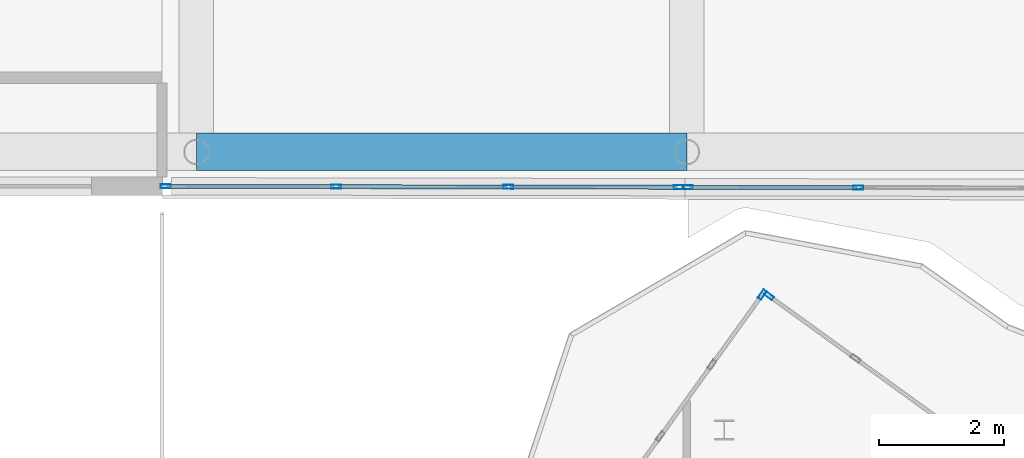
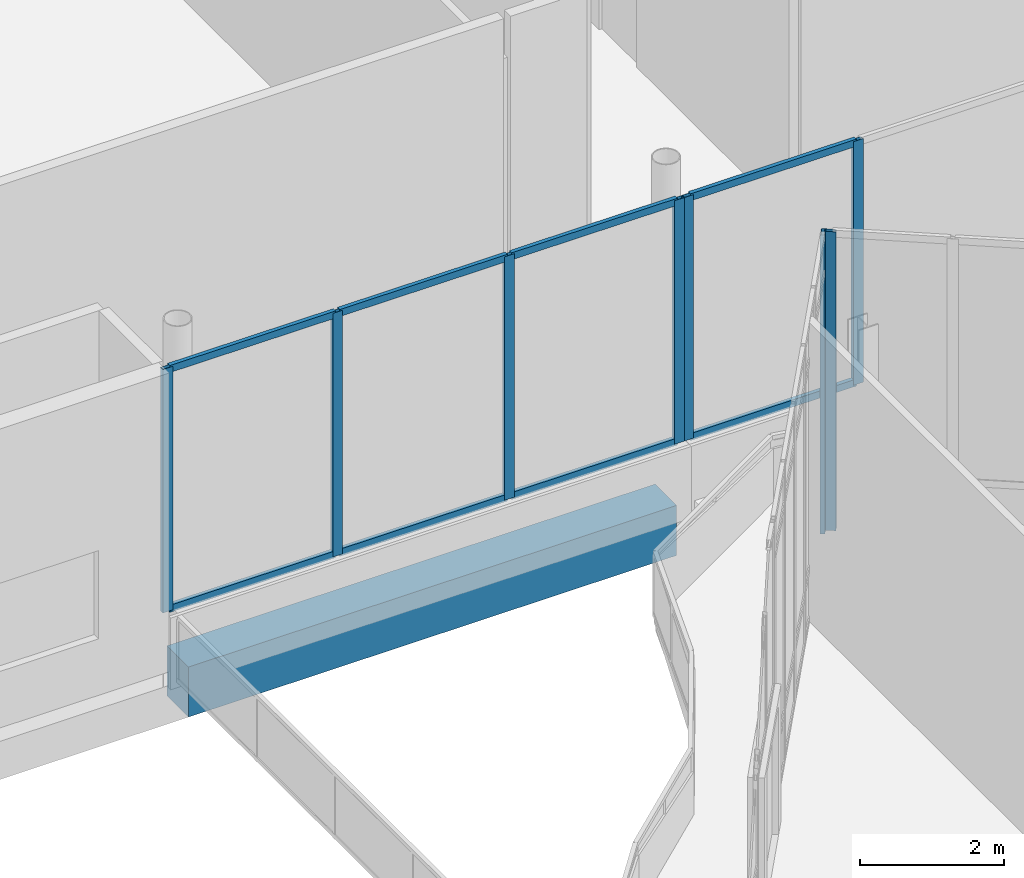
# One storey, part 31 of 158: 16 members, 1 beam, 4 elements without a shape of their own.
"""IFC4 building model written with IfcOpenShell, lengths in metres."""

from ifc_helpers import new_model, si_unit, direction, frame, origin, origin_2d, place, context, subcontext, project, spatial, rectangle, hollow_rectangle, extrude, material, material_profile, profile_set, type_object, element, aggregate, save


model = new_model("IFC4")

# Units and contexts
model_context = context("Model", 3, precision=1e-05, world=origin(), true_north=direction((0.0, 1.0)))
body_context = subcontext(model_context, "Body", "Model", "MODEL_VIEW")
ifc_project = project(units=[si_unit("LENGTHUNIT", "METRE"), si_unit("AREAUNIT", "SQUARE_METRE"), si_unit("VOLUMEUNIT", "CUBIC_METRE"), si_unit("PLANEANGLEUNIT", "RADIAN"), si_unit("MASSUNIT", "GRAM", prefix="KILO")], contexts=[model_context])

# Site, building, storey
site_placement = place(None, origin())
site = spatial("IfcSite", under=ifc_project, at=site_placement, CompositionType="ELEMENT")
building_placement = place(site_placement, origin())
building = spatial("IfcBuilding", under=site, at=building_placement, Name="Selatvlak General Hospital", CompositionType="ELEMENT")
storey_placement = place(building_placement, origin())
storey = spatial("IfcBuildingStorey", under=building, at=storey_placement, Name="L00", CompositionType="ELEMENT", Elevation=0.0)

# Beam
ifc_material_1 = material(Name="Concrete C40/50", Category="concrete")
ifc_material_profile_1 = material_profile(ifc_material_1, rectangle(XDim=0.60009765625, YDim=0.85009765625, at=origin_2d()), Name="RC-BM 600x850")
ifc_profile_set_1 = profile_set([ifc_material_profile_1], Name="Concrete C40/50")
beam_type = type_object("IfcBeamType", Name="BM-G01", PredefinedType="BEAM", material=ifc_profile_set_1)
beam_placement = place(storey_placement, frame((23.35009765625, 52.550048828125, -0.77490234375), z_axis=(1.0, 0.0, 0.0), x_axis=(0.0, 1.0, 0.0)))
element("IfcBeam", 1, at=beam_placement, inside=storey, type_object=beam_type, Name="Beam BMR-L00-0003", PredefinedType="BEAM", context=body_context, shape_type="SweptSolid", body=[
    extrude(rectangle(XDim=0.60009765625, YDim=0.85009765625, at=origin_2d()), origin(), (0.0, 0.0, 1.0), 7.849853515625),
])

# Curtain wall, member
ifc_material_2 = material(Name="Solar-control Low-E double glazing", Category="glass")
curtain_wall_type_1 = type_object("IfcCurtainWallType", Name="CW-CW-01", PredefinedType="USERDEFINED", material=ifc_material_2)
curtain_wall_1_placement = place(storey_placement, origin())
curtain_wall_1 = element("IfcCurtainWall", 2, at=curtain_wall_1_placement, inside=storey, type_object=curtain_wall_type_1, Name="Glazed facade curtain wall CW-L00-0068", ObjectType="UNITISED CURTAIN WALL", PredefinedType="USERDEFINED")
ifc_material_3 = material(Name="Dark anodised aluminium mullion", Category="aluminium")
ifc_material_profile_2 = material_profile(ifc_material_3, hollow_rectangle(XDim=0.06494140625, YDim=0.159912109375, WallThickness=0.00390625, at=origin_2d()), Name="AL-MUL 65x160x4")
ifc_profile_set_2 = profile_set([ifc_material_profile_2], Name="Dark anodised aluminium mullion")
member_type_1 = type_object("IfcMemberType", Name="CWM-01", PredefinedType="MULLION", material=ifc_profile_set_2)
member_1_placement = place(storey_placement, frame((32.407958984375, 50.2666015625, 0.0), z_axis=(0.0, 0.0, 1.0), x_axis=(-0.811837318502, 0.583883694145, 0.0)))
member_1 = element("IfcMember", 3, at=member_1_placement, type_object=member_type_1, Name="CW-01 mullion 6", PredefinedType="MULLION", context=body_context, shape_type="SweptSolid", body=[
    extrude(hollow_rectangle(XDim=0.06494140625, YDim=0.159912109375, WallThickness=0.00390625, at=origin_2d()), origin(), (0.0, 0.0, 1.0), 5.080078125),
])
aggregate(curtain_wall_1, [member_1])

curtain_wall_2_placement = place(storey_placement, origin())
curtain_wall_2 = element("IfcCurtainWall", 4, at=curtain_wall_2_placement, inside=storey, type_object=curtain_wall_type_1, Name="Glazed facade curtain wall CW-L00-0069", ObjectType="UNITISED CURTAIN WALL", PredefinedType="USERDEFINED")
member_2_placement = place(storey_placement, frame((32.514404296875, 50.248046875, 0.0), z_axis=(0.0, 0.0, 1.0), x_axis=(0.58631560804, 0.810082716622, 0.0)))
member_2 = element("IfcMember", 5, at=member_2_placement, type_object=member_type_1, Name="CW-01 mullion 1", PredefinedType="MULLION", context=body_context, shape_type="SweptSolid", body=[
    extrude(hollow_rectangle(XDim=0.06494140625, YDim=0.159912109375, WallThickness=0.00390625, at=origin_2d()), origin(), (0.0, 0.0, 1.0), 5.080078125),
])
aggregate(curtain_wall_2, [member_2])

# Curtain wall, members
curtain_wall_3_placement = place(storey_placement, origin())
curtain_wall_3 = element("IfcCurtainWall", 6, at=curtain_wall_3_placement, inside=storey, type_object=curtain_wall_type_1, Name="Glazed facade curtain wall CW-L00-0092", ObjectType="UNITISED CURTAIN WALL", PredefinedType="USERDEFINED")
member_3_placement = place(storey_placement, frame((33.94677734375, 51.97998046875, 0.93994140625), z_axis=(0.0, 0.0, 1.0), x_axis=(-0.001811153756, -0.99999835986, 0.0)))
member_3 = element("IfcMember", 7, at=member_3_placement, type_object=member_type_1, Name="CW-01 mullion 3", PredefinedType="MULLION", context=body_context, shape_type="SweptSolid", body=[
    extrude(hollow_rectangle(XDim=0.06494140625, YDim=0.159912109375, WallThickness=0.00390625, at=origin_2d()), origin(), (0.0, 0.0, 1.0), 4.14013671875),
])
member_4_placement = place(storey_placement, frame((31.218505859375, 51.98486328125, 0.93994140625), z_axis=(0.0, 0.0, 1.0), x_axis=(-0.001811153756, -0.99999835986, 0.0)))
member_4 = element("IfcMember", 8, at=member_4_placement, type_object=member_type_1, Name="CW-01 mullion 4", PredefinedType="MULLION", context=body_context, shape_type="SweptSolid", body=[
    extrude(hollow_rectangle(XDim=0.06494140625, YDim=0.159912109375, WallThickness=0.00390625, at=origin_2d()), origin(), (0.0, 0.0, 1.0), 4.14013671875),
])

curtain_wall_type_2 = type_object("IfcCurtainWallType", Name="CW-CW-02", PredefinedType="USERDEFINED", material=ifc_material_2)
curtain_wall_4_placement = place(storey_placement, origin())
curtain_wall_4 = element("IfcCurtainWall", 9, at=curtain_wall_4_placement, inside=storey, type_object=curtain_wall_type_2, Name="Glazed facade curtain wall CW-L00-0093", ObjectType="UNITISED CURTAIN WALL", PredefinedType="USERDEFINED")
member_5_placement = place(storey_placement, frame((31.073486328125, 51.985107421875, 0.93994140625), z_axis=(0.0, 0.0, 1.0), x_axis=(-0.001811153756, -0.99999835986, 0.0)))
member_5 = element("IfcMember", 10, at=member_5_placement, type_object=member_type_1, Name="CW-02 mullion 1", PredefinedType="MULLION", context=body_context, shape_type="SweptSolid", body=[
    extrude(hollow_rectangle(XDim=0.06494140625, YDim=0.159912109375, WallThickness=0.00390625, at=origin_2d()), origin(), (0.0, 0.0, 1.0), 4.14013671875),
])
member_6_placement = place(storey_placement, frame((28.34521484375, 51.989990234375, 0.93994140625), z_axis=(0.0, 0.0, 1.0), x_axis=(-0.001811153756, -0.99999835986, 0.0)))
member_6 = element("IfcMember", 11, at=member_6_placement, type_object=member_type_1, Name="CW-02 mullion 2", PredefinedType="MULLION", context=body_context, shape_type="SweptSolid", body=[
    extrude(hollow_rectangle(XDim=0.06494140625, YDim=0.159912109375, WallThickness=0.00390625, at=origin_2d()), origin(), (0.0, 0.0, 1.0), 4.14013671875),
])
member_7_placement = place(storey_placement, frame((25.584716796875, 51.9951171875, 0.93994140625), z_axis=(0.0, 0.0, 1.0), x_axis=(-0.001811153756, -0.99999835986, 0.0)))
member_7 = element("IfcMember", 12, at=member_7_placement, type_object=member_type_1, Name="CW-02 mullion 3", PredefinedType="MULLION", context=body_context, shape_type="SweptSolid", body=[
    extrude(hollow_rectangle(XDim=0.06494140625, YDim=0.159912109375, WallThickness=0.00390625, at=origin_2d()), origin(), (0.0, 0.0, 1.0), 4.14013671875),
])
member_8_placement = place(storey_placement, frame((22.8564453125, 52.0, 0.93994140625), z_axis=(0.0, 0.0, 1.0), x_axis=(-0.001811153756, -0.99999835986, 0.0)))
member_8 = element("IfcMember", 13, at=member_8_placement, type_object=member_type_1, Name="CW-02 mullion 4", PredefinedType="MULLION", context=body_context, shape_type="SweptSolid", body=[
    extrude(hollow_rectangle(XDim=0.06494140625, YDim=0.159912109375, WallThickness=0.00390625, at=origin_2d()), origin(), (0.0, 0.0, 1.0), 4.14013671875),
])

# Member
ifc_material_profile_3 = material_profile(ifc_material_3, hollow_rectangle(XDim=0.06494140625, YDim=0.1201171875, WallThickness=0.00390625, at=origin_2d()), Name="AL-TRN 65x120x4")
ifc_profile_set_3 = profile_set([ifc_material_profile_3], Name="Dark anodised aluminium mullion")
member_type_2 = type_object("IfcMemberType", Name="CWT-01", PredefinedType="USERDEFINED", material=ifc_profile_set_3)
member_9_placement = place(storey_placement, frame((33.9140625, 51.97998046875, 0.972412109375), z_axis=(-0.999998319113, 0.001833513603, 0.0), x_axis=(-0.001833513603, -0.999998319113, 0.0)))
member_9 = element("IfcMember", 14, at=member_9_placement, type_object=member_type_2, Name="CW-01 transom 3.1", ObjectType="TRANSOM", PredefinedType="USERDEFINED", context=body_context, shape_type="SweptSolid", body=[
    extrude(hollow_rectangle(XDim=0.06494140625, YDim=0.1201171875, WallThickness=0.00390625, at=origin_2d()), origin(), (0.0, 0.0, 1.0), 2.6630859375),
])

member_10_placement = place(storey_placement, frame((33.9140625, 51.97998046875, 5.047607421875), z_axis=(-0.999998319113, 0.001833513603, 0.0), x_axis=(-0.001833513603, -0.999998319113, 0.0)))
member_10 = element("IfcMember", 15, at=member_10_placement, type_object=member_type_2, Name="CW-01 transom 3.2", ObjectType="TRANSOM", PredefinedType="USERDEFINED", context=body_context, shape_type="SweptSolid", body=[
    extrude(hollow_rectangle(XDim=0.06494140625, YDim=0.1201171875, WallThickness=0.00390625, at=origin_2d()), origin(), (0.0, 0.0, 1.0), 2.6630859375),
])

aggregate(curtain_wall_3, [member_3, member_4, member_9, member_10])

member_11_placement = place(storey_placement, frame((31.041015625, 51.985107421875, 0.972412109375), z_axis=(-0.999998319113, 0.001833513603, 0.0), x_axis=(-0.001833513603, -0.999998319113, 0.0)))
member_11 = element("IfcMember", 16, at=member_11_placement, type_object=member_type_2, Name="CW-02 transom 1.1", ObjectType="TRANSOM", PredefinedType="USERDEFINED", context=body_context, shape_type="SweptSolid", body=[
    extrude(hollow_rectangle(XDim=0.06494140625, YDim=0.1201171875, WallThickness=0.00390625, at=origin_2d()), origin(), (0.0, 0.0, 1.0), 2.6630859375),
])

member_12_placement = place(storey_placement, frame((31.041015625, 51.985107421875, 5.047607421875), z_axis=(-0.999998319113, 0.001833513603, 0.0), x_axis=(-0.001833513603, -0.999998319113, 0.0)))
member_12 = element("IfcMember", 17, at=member_12_placement, type_object=member_type_2, Name="CW-02 transom 1.2", ObjectType="TRANSOM", PredefinedType="USERDEFINED", context=body_context, shape_type="SweptSolid", body=[
    extrude(hollow_rectangle(XDim=0.06494140625, YDim=0.1201171875, WallThickness=0.00390625, at=origin_2d()), origin(), (0.0, 0.0, 1.0), 2.6630859375),
])

member_13_placement = place(storey_placement, frame((28.312744140625, 51.989990234375, 0.972412109375), z_axis=(-0.999998359364, 0.001811427152, 0.0), x_axis=(-0.001811427152, -0.999998359364, 0.0)))
member_13 = element("IfcMember", 18, at=member_13_placement, type_object=member_type_2, Name="CW-02 transom 2.1", ObjectType="TRANSOM", PredefinedType="USERDEFINED", context=body_context, shape_type="SweptSolid", body=[
    extrude(hollow_rectangle(XDim=0.06494140625, YDim=0.1201171875, WallThickness=0.00390625, at=origin_2d()), origin(), (0.0, 0.0, 1.0), 2.695556640625),
])

member_14_placement = place(storey_placement, frame((28.312744140625, 51.989990234375, 5.047607421875), z_axis=(-0.999998359364, 0.001811427152, 0.0), x_axis=(-0.001811427152, -0.999998359364, 0.0)))
member_14 = element("IfcMember", 19, at=member_14_placement, type_object=member_type_2, Name="CW-02 transom 2.2", ObjectType="TRANSOM", PredefinedType="USERDEFINED", context=body_context, shape_type="SweptSolid", body=[
    extrude(hollow_rectangle(XDim=0.06494140625, YDim=0.1201171875, WallThickness=0.00390625, at=origin_2d()), origin(), (0.0, 0.0, 1.0), 2.695556640625),
])

member_15_placement = place(storey_placement, frame((25.55224609375, 51.9951171875, 0.972412109375), z_axis=(-0.999998319421, 0.00183334553, 0.0), x_axis=(-0.00183334553, -0.999998319421, 0.0)))
member_15 = element("IfcMember", 20, at=member_15_placement, type_object=member_type_2, Name="CW-02 transom 3.1", ObjectType="TRANSOM", PredefinedType="USERDEFINED", context=body_context, shape_type="SweptSolid", body=[
    extrude(hollow_rectangle(XDim=0.06494140625, YDim=0.1201171875, WallThickness=0.00390625, at=origin_2d()), origin(), (0.0, 0.0, 1.0), 2.663330078125),
])

member_16_placement = place(storey_placement, frame((25.55224609375, 51.9951171875, 5.047607421875), z_axis=(-0.999998319421, 0.00183334553, 0.0), x_axis=(-0.00183334553, -0.999998319421, 0.0)))
member_16 = element("IfcMember", 21, at=member_16_placement, type_object=member_type_2, Name="CW-02 transom 3.2", ObjectType="TRANSOM", PredefinedType="USERDEFINED", context=body_context, shape_type="SweptSolid", body=[
    extrude(hollow_rectangle(XDim=0.06494140625, YDim=0.1201171875, WallThickness=0.00390625, at=origin_2d()), origin(), (0.0, 0.0, 1.0), 2.663330078125),
])

aggregate(curtain_wall_4, [member_5, member_6, member_7, member_8, member_11, member_12, member_13, member_14, member_15, member_16])

save(model, "model.ifc")
